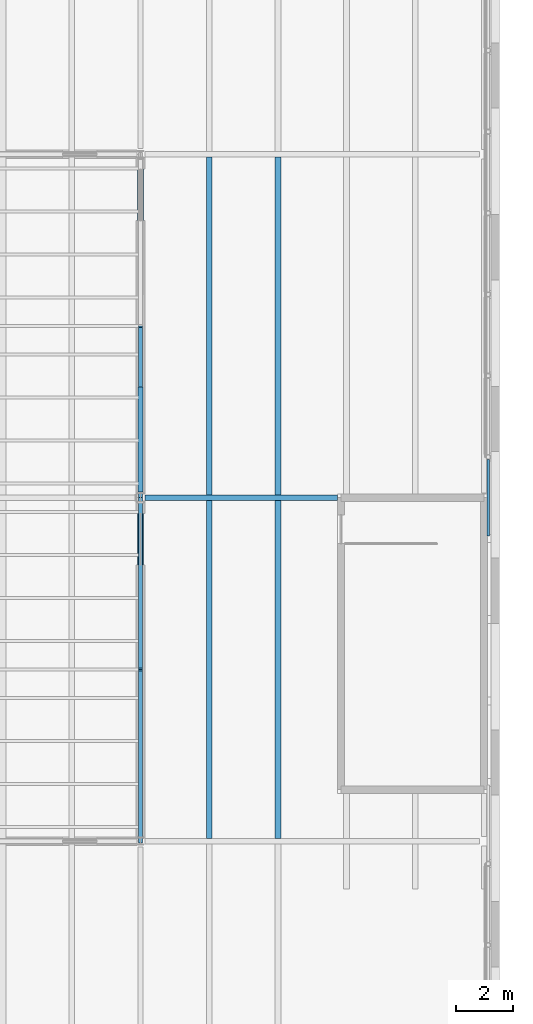
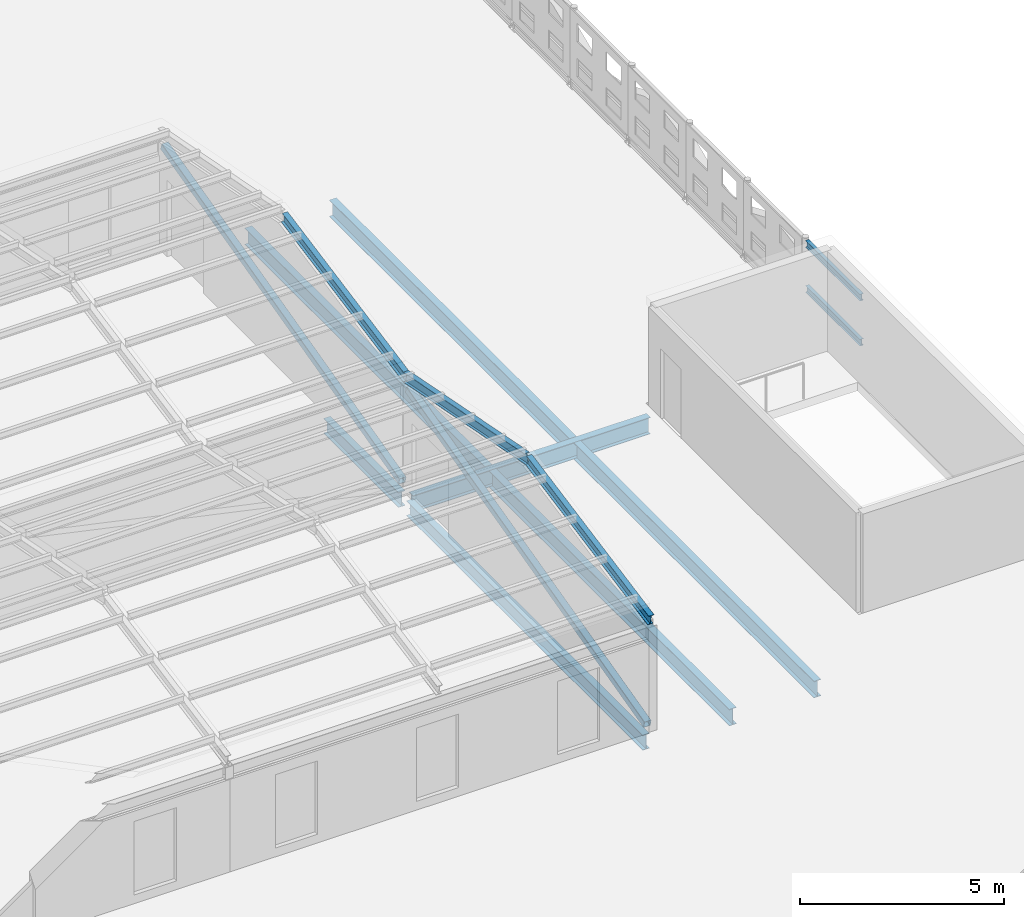
# One storey, part 46 of 91: 10 beams, 4 members.
"""IFC4 building model written with IfcOpenShell, lengths in metres."""

from ifc_helpers import new_model, si_unit, direction, frame, origin, origin_2d, place, context, subcontext, project, spatial, hollow_rectangle, i_section, extrude, material, material_profile, profile_set, type_object, element, save


model = new_model("IFC4")

# Units and contexts
model_context = context("Model", 3, precision=1e-05, world=origin(), true_north=direction((0.0, 1.0)))
body_context = subcontext(model_context, "Body", "Model", "MODEL_VIEW")
ifc_project = project(units=[si_unit("LENGTHUNIT", "METRE"), si_unit("AREAUNIT", "SQUARE_METRE"), si_unit("VOLUMEUNIT", "CUBIC_METRE"), si_unit("PLANEANGLEUNIT", "RADIAN"), si_unit("MASSUNIT", "GRAM", prefix="KILO")], contexts=[model_context])

# Site, building, storey
site_placement = place(None, origin())
site = spatial("IfcSite", under=ifc_project, at=site_placement, CompositionType="ELEMENT")
building_placement = place(site_placement, origin())
building = spatial("IfcBuilding", under=site, at=building_placement, Name="Ravi Spectrum Wholesale Market", CompositionType="ELEMENT")
storey_placement = place(building_placement, frame((0.0, 0.0, 16.199951171875)))
storey = spatial("IfcBuildingStorey", under=building, at=storey_placement, Name="ROOF PLANT LEVEL", CompositionType="ELEMENT", Elevation=16.199951171875)

# Members
ifc_material_1 = material(Name="Steel S355", Category="steel")
ifc_material_profile_1 = material_profile(ifc_material_1, i_section(OverallWidth=0.10009765625, OverallDepth=0.199951171875, WebThickness=0.005615234375, FlangeThickness=0.008544921875, at=origin_2d()))
ifc_profile_set_1 = profile_set([ifc_material_profile_1], Name="Steel S355")
member_type_1 = type_object("IfcMemberType", Name="IPE 200 purlin", PredefinedType="PURLIN", material=ifc_profile_set_1)
for number, where, z_axis, x_axis, name in (
    (1, (282.14990234375, 40.66357421875, 0.900146484375), (0.0, 1.0, 0.0), (-1.0, 0.0, 0.0), "CS-MB-ROOF-201"),
    (2, (282.14990234375, 40.66357421875, 2.25), (0.0, 1.0, 0.0), (-1.0, 0.0, 0.0), "CS-MB-ROOF-202"),
):
    element("IfcMember", number, at=place(storey_placement, frame(where, z_axis=z_axis, x_axis=x_axis)), inside=storey, type_object=member_type_1, Name=name, PredefinedType="PURLIN", context=body_context, shape_type="SweptSolid", body=[
        extrude(i_section(OverallWidth=0.10009765625, OverallDepth=0.199951171875, WebThickness=0.005615234375, FlangeThickness=0.008544921875, at=origin_2d()), origin(), (0.0, 0.0, 1.0), 2.6728515625),
    ])

# Beams
ifc_material_2 = material(Name="Steel S355", Category="steel")
ifc_material_profile_2 = material_profile(ifc_material_2, i_section(OverallWidth=0.14990234375, OverallDepth=0.300048828125, WebThickness=0.007080078125, FlangeThickness=0.0107421875, at=origin_2d()))
ifc_profile_set_2 = profile_set([ifc_material_profile_2], Name="Steel S355")
beam_type_1 = type_object("IfcBeamType", Name="IPE 300 beam", PredefinedType="BEAM", material=ifc_profile_set_2)
for number, where, z_axis, x_axis, name in (
    (3, (270.0, 29.971435546875, 3.3193359375), (0.0, 0.981627860336, 0.190805513054), (-1.0, 0.0, 0.0), "CS-BM-ROOF-236"),
    (4, (270.0, 42.028564453125, 3.3193359375), (0.0, -0.981627860336, 0.190805513054), (1.0, 0.0, 0.0), "CS-BM-ROOF-237"),
    (5, (270.0, 41.971435546875, 3.3193359375), (0.0, 0.981627860336, 0.190805513054), (-1.0, 0.0, 0.0), "CS-BM-ROOF-238"),
):
    element("IfcBeam", number, at=place(storey_placement, frame(where, z_axis=z_axis, x_axis=x_axis)), inside=storey, type_object=beam_type_1, Name=name, PredefinedType="BEAM", context=body_context, shape_type="SweptSolid", body=[
        extrude(i_section(OverallWidth=0.14990234375, OverallDepth=0.300048828125, WebThickness=0.007080078125, FlangeThickness=0.0107421875, at=origin_2d()), origin(), (0.0, 0.0, 1.0), 6.1123046875),
    ])
ifc_material_3 = material(Name="Steel S355", Category="steel")
ifc_material_profile_3 = material_profile(ifc_material_3, i_section(OverallWidth=0.18994140625, OverallDepth=0.449951171875, WebThickness=0.009521484375, FlangeThickness=0.0146484375, at=origin_2d()))
ifc_profile_set_3 = profile_set([ifc_material_profile_3], Name="Steel S355")
beam_type_2 = type_object("IfcBeamType", Name="IPE 450 girder", PredefinedType="BEAM", material=ifc_profile_set_3)
beam_1_placement = place(storey_placement, frame((270.0, 30.199951171875, -0.474853515625), z_axis=(0.0, 1.0, 0.0), x_axis=(-1.0, 0.0, 0.0)))
element("IfcBeam", 6, at=beam_1_placement, inside=storey, type_object=beam_type_2, Name="CS-BM-ROOF-060", PredefinedType="BEAM", context=body_context, shape_type="SweptSolid", body=[
    extrude(i_section(OverallWidth=0.18994140625, OverallDepth=0.449951171875, WebThickness=0.009521484375, FlangeThickness=0.0146484375, at=origin_2d()), origin(), (0.0, 0.0, 1.0), 11.60009765625),
])
beam_2_placement = place(storey_placement, frame((270.0, 42.199951171875, -0.474853515625), z_axis=(0.0, 1.0, 0.0), x_axis=(-1.0, 0.0, 0.0)))
element("IfcBeam", 7, at=beam_2_placement, inside=storey, type_object=beam_type_2, Name="CS-BM-ROOF-061", PredefinedType="BEAM", context=body_context, shape_type="SweptSolid", body=[
    extrude(i_section(OverallWidth=0.18994140625, OverallDepth=0.449951171875, WebThickness=0.009521484375, FlangeThickness=0.0146484375, at=origin_2d()), origin(), (0.0, 0.0, 1.0), 3.675048828125),
])
ifc_material_4 = material(Name="Steel S355", Category="steel")
ifc_material_profile_4 = material_profile(ifc_material_4, i_section(OverallWidth=0.199951171875, OverallDepth=0.5, WebThickness=0.01025390625, FlangeThickness=0.01611328125, at=origin_2d()))
ifc_profile_set_4 = profile_set([ifc_material_profile_4], Name="Steel S355")
beam_type_3 = type_object("IfcBeamType", Name="IPE 500 beam", PredefinedType="BEAM", material=ifc_profile_set_4)
beam_3_placement = place(storey_placement, frame((270.14990234375, 42.0, -0.5), z_axis=(1.0, 0.0, 0.0), x_axis=(0.0, 1.0, 0.0)))
element("IfcBeam", 8, at=beam_3_placement, inside=storey, type_object=beam_type_3, Name="CS-BM-ROOF-021", PredefinedType="BEAM", context=body_context, shape_type="SweptSolid", body=[
    extrude(i_section(OverallWidth=0.199951171875, OverallDepth=0.5, WebThickness=0.01025390625, FlangeThickness=0.01611328125, at=origin_2d()), origin(), (0.0, 0.0, 1.0), 6.72509765625),
])
for number, where, z_axis, x_axis, name in (
    (9, (272.39990234375, 30.10009765625, -0.5), (0.0, 1.0, 0.0), (-1.0, 0.0, 0.0), "CS-BM-ROOF-166"),
    (10, (274.800048828125, 30.10009765625, -0.5), (0.0, 1.0, 0.0), (-1.0, 0.0, 0.0), "CS-BM-ROOF-167"),
    (11, (272.39990234375, 42.10009765625, -0.5), (0.0, 1.0, 0.0), (-1.0, 0.0, 0.0), "CS-BM-ROOF-170"),
    (12, (274.800048828125, 42.10009765625, -0.5), (0.0, 1.0, 0.0), (-1.0, 0.0, 0.0), "CS-BM-ROOF-172"),
):
    element("IfcBeam", number, at=place(storey_placement, frame(where, z_axis=z_axis, x_axis=x_axis)), inside=storey, type_object=beam_type_3, Name=name, PredefinedType="BEAM", context=body_context, shape_type="SweptSolid", body=[
        extrude(i_section(OverallWidth=0.199951171875, OverallDepth=0.5, WebThickness=0.01025390625, FlangeThickness=0.01611328125, at=origin_2d()), origin(), (0.0, 0.0, 1.0), 11.7998046875),
    ])

# Members
ifc_material_5 = material(Name="Steel S355", Category="steel")
ifc_material_profile_5 = material_profile(ifc_material_5, hollow_rectangle(XDim=0.199951171875, YDim=0.199951171875, WallThickness=0.008056640625, InnerFilletRadius=0.008056640625, OuterFilletRadius=0.01611328125, at=origin_2d()))
ifc_profile_set_5 = profile_set([ifc_material_profile_5], Name="Steel S355")
member_type_2 = type_object("IfcMemberType", Name="SHS 200x200x8 brace", PredefinedType="BRACE", material=ifc_profile_set_5)
for number, where, z_axis, x_axis, name in (
    (13, (270.0, 30.14453125, 0.096923828125), (0.0, 0.969395441691, 0.245504536879), (-1.0, 0.0, 0.0), "CS-MB-ROOF-541"),
    (14, (270.0, 42.174560546875, 0.096923828125), (0.0, 0.969395441691, 0.245504536879), (-1.0, 0.0, 0.0), "CS-MB-ROOF-542"),
):
    element("IfcMember", number, at=place(storey_placement, frame(where, z_axis=z_axis, x_axis=x_axis)), inside=storey, type_object=member_type_2, Name=name, PredefinedType="BRACE", context=body_context, shape_type="SweptSolid", body=[
        extrude(hollow_rectangle(XDim=0.199951171875, YDim=0.199951171875, WallThickness=0.008056640625, InnerFilletRadius=0.008056640625, OuterFilletRadius=0.01611328125, at=origin_2d()), origin(), (0.0, 0.0, 1.0), 12.0498046875),
    ])

save(model, "model.ifc")
